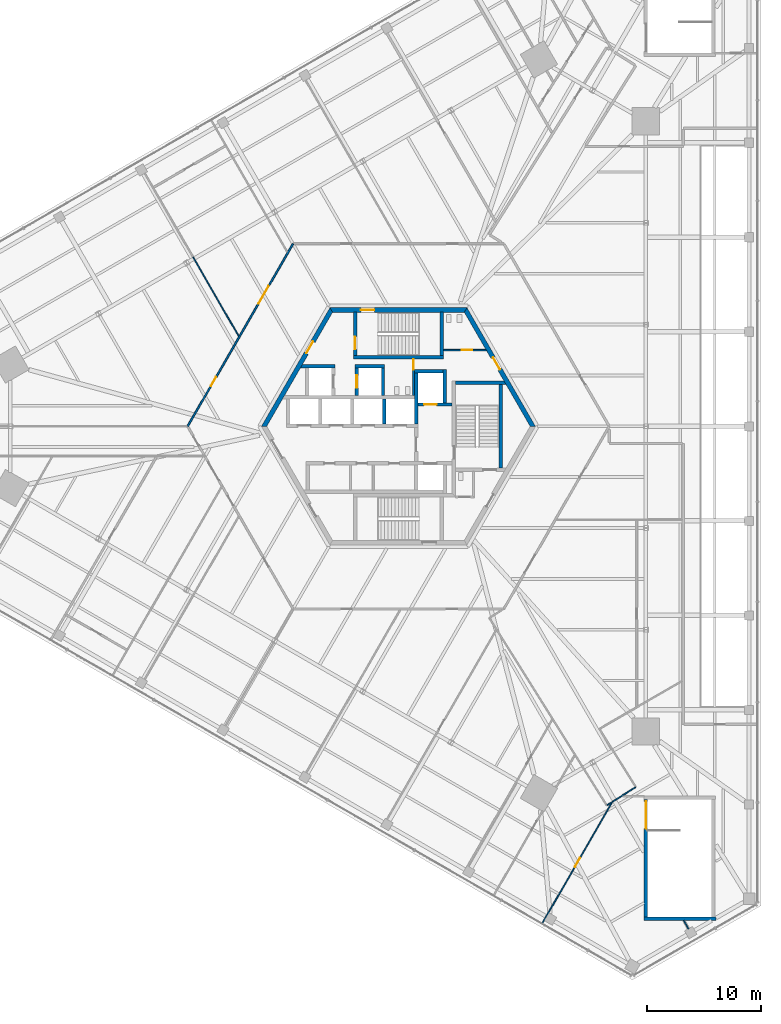
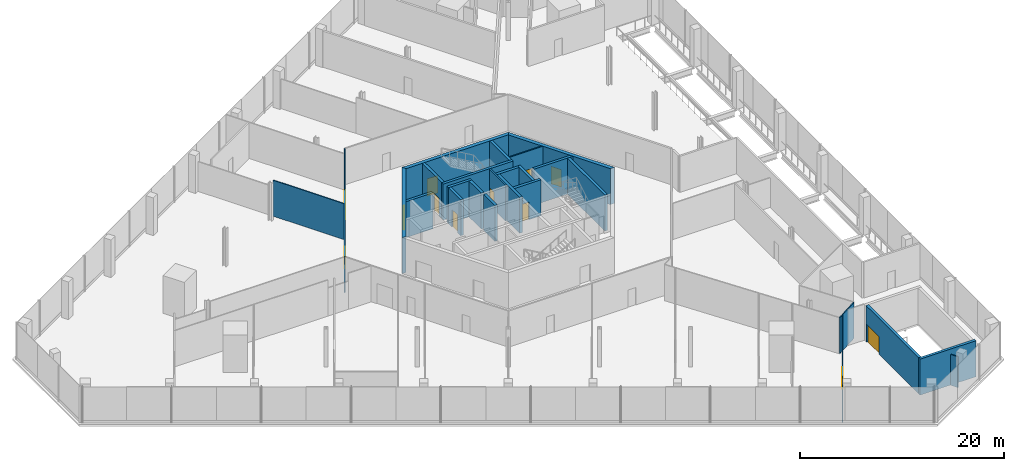
# One storey, part 20 of 25: 27 walls, 12 doors, 12 openings.
"""IFC4 building model written with IfcOpenShell, lengths in metres."""

from ifc_helpers import new_model, si_unit, direction, frame, frame_2d, origin, place, context, subcontext, project, spatial, polyline, rectangle, outline, extrude, source, transform, mapped, material, layer, layer_set, type_object, element, fill, save


model = new_model("IFC4")

# Units and contexts
model_context = context("Model", 3, precision=1e-05, world=origin(), true_north=direction((0.0, 1.0)))
body_context = subcontext(model_context, "Body", "Model", "MODEL_VIEW")
ifc_project = project(units=[si_unit("LENGTHUNIT", "METRE"), si_unit("AREAUNIT", "SQUARE_METRE"), si_unit("VOLUMEUNIT", "CUBIC_METRE"), si_unit("PLANEANGLEUNIT", "RADIAN"), si_unit("MASSUNIT", "GRAM", prefix="KILO")], contexts=[model_context])

# Site, building, storey
site_placement = place(None, origin())
site = spatial("IfcSite", under=ifc_project, at=site_placement, CompositionType="ELEMENT")
building_placement = place(site_placement, origin())
building = spatial("IfcBuilding", under=site, at=building_placement, Name="Triune Harvest Tower", CompositionType="ELEMENT")
storey_placement = place(building_placement, frame((0.0, 0.0, 11.5)))
storey = spatial("IfcBuildingStorey", under=building, at=storey_placement, Name="L02", CompositionType="ELEMENT", Elevation=11.5)

# Wall, openings, doors
ifc_material_1 = material(Name="Gypsum board on steel studs", Category="steel")
ifc_layer_1 = layer(ifc_material_1, 0.14990234375)
ifc_layer_set_1 = layer_set([ifc_layer_1], Name="Gypsum board on steel studs")
wall_type_1 = type_object("IfcWallType", Name="Fire Partition 150 mm", PredefinedType="PARTITIONING", material=ifc_layer_set_1)
wall_1_placement = place(storey_placement, frame((-18.46630859375, -0.00048828125, 0.0), z_axis=(0.0, 0.0, 1.0), x_axis=(0.499989475653, 0.866031479934, 0.0)))
wall_1 = element("IfcWall", 1, at=wall_1_placement, inside=storey, type_object=wall_type_1, Name="Partition L02 051", PredefinedType="PARTITIONING", context=body_context, shape_type="SweptSolid", body=[
    extrude(rectangle(XDim=18.46728515625, YDim=0.14990234375, at=frame_2d((9.233642578125, 0.0))), origin(), (0.0, 0.0, 1.0), 4.300048828125),
])
opening_1_placement = place(wall_1_placement, frame((12.390869140625, 0.0, 0.0)))
opening_1 = element("IfcOpeningElement", 2, at=opening_1_placement, cuts=wall_1, Name="Opening L02-013", PredefinedType="OPENING", context=body_context, shape_type="SweptSolid", body=[
    extrude(rectangle(XDim=1.800048828125, YDim=2.39990234375, at=frame_2d((0.89990234375, 1.199951171875))), frame((0.0, 0.0849609375, 0.0), z_axis=(0.0, -1.0, 0.0), x_axis=(1.0, 0.0, 0.0)), (0.0, 0.0, 1.0), 0.169921875),
])
opening_2_placement = place(wall_1_placement, frame((4.082763671875, 0.0, 0.0)))
opening_2 = element("IfcOpeningElement", 3, at=opening_2_placement, cuts=wall_1, Name="Opening L02-017", PredefinedType="OPENING", context=body_context, shape_type="SweptSolid", body=[
    extrude(rectangle(XDim=0.89990234375, YDim=2.10009765625, at=frame_2d((0.449951171875, 1.050048828125))), frame((0.0, 0.0849609375, 0.0), z_axis=(0.0, -1.0, 0.0), x_axis=(1.0, 0.0, 0.0)), (0.0, 0.0, 1.0), 0.169921875),
])
ifc_material_2 = material(Name="Timber and steel door set", Category="steel")
door_type_1 = type_object("IfcDoorType", Name="Double leaf door FD30 1800 x 2400", OperationType="DOUBLE_DOOR_SINGLE_SWING", PredefinedType="DOOR", material=ifc_material_2)
door_1_placement = place(opening_1_placement, origin())
door_1 = element("IfcDoor", 4, at=door_1_placement, inside=storey, type_object=door_type_1, Name="Door L02-013 Market Hall 02.13", OperationType="DOUBLE_DOOR_SINGLE_SWING", OverallHeight=2.39990234375, OverallWidth=1.800048828125, PredefinedType="DOOR", context=body_context, shape_type="SweptSolid", body=[
    extrude(rectangle(XDim=1.800048828125, YDim=2.39990234375, at=frame_2d((0.89990234375, 1.199951171875))), frame((0.0, 0.02490234375, 0.0), z_axis=(0.0, -1.0, 0.0), x_axis=(1.0, 0.0, 0.0)), (0.0, 0.0, 1.0), 0.050048828125),
])
fill(opening_1, door_1)
ifc_material_3 = material(Name="Timber and steel door set", Category="steel")
door_type_2 = type_object("IfcDoorType", Name="Single leaf door FD30 left hand 900 x 2100", OperationType="SINGLE_SWING_LEFT", PredefinedType="DOOR", material=ifc_material_3)
door_2_placement = place(opening_2_placement, origin())
door_2 = element("IfcDoor", 5, at=door_2_placement, inside=storey, type_object=door_type_2, Name="Door L02-017 Classroom 02.17", OperationType="SINGLE_SWING_LEFT", OverallHeight=2.10009765625, OverallWidth=0.89990234375, PredefinedType="DOOR", context=body_context, shape_type="SweptSolid", body=[
    extrude(rectangle(XDim=0.89990234375, YDim=2.10009765625, at=frame_2d((0.449951171875, 1.050048828125))), frame((0.0, 0.02490234375, 0.0), z_axis=(0.0, -1.0, 0.0), x_axis=(1.0, 0.0, 0.0)), (0.0, 0.0, 1.0), 0.050048828125),
])
fill(opening_2, door_2)

# Walls
ifc_material_4 = material(Name="Gypsum board on steel studs", Category="steel")
ifc_layer_2 = layer(ifc_material_4, 0.10009765625)
ifc_layer_set_2 = layer_set([ifc_layer_2], Name="Gypsum board on steel studs")
wall_type_2 = type_object("IfcWallType", Name="Partition 100 mm", PredefinedType="PARTITIONING", material=ifc_layer_set_2)
wall_2_placement = place(storey_placement, frame((18.272216796875, -33.18212890625, 0.0), z_axis=(0.0, 0.0, 1.0), x_axis=(0.847486689637, 0.530816645263, 0.0)))
element("IfcWall", 6, at=wall_2_placement, inside=storey, type_object=wall_type_2, Name="Partition L02 033", PredefinedType="PARTITIONING", context=body_context, shape_type="SweptSolid", body=[
    extrude(rectangle(XDim=0.40234375, YDim=0.10009765625, at=frame_2d((0.201171875, 0.0))), origin(), (0.0, 0.0, 1.0), 4.300048828125),
])
wall_3_placement = place(storey_placement, frame((18.751220703125, -32.882080078125, 0.0), z_axis=(0.0, 0.0, 1.0), x_axis=(0.847201589507, 0.531271556492, 0.0)))
element("IfcWall", 7, at=wall_3_placement, inside=storey, type_object=wall_type_2, Name="Partition L02 034", PredefinedType="PARTITIONING", context=body_context, shape_type="SweptSolid", body=[
    extrude(rectangle(XDim=2.378662109375, YDim=0.10009765625, at=frame_2d((1.189453125, 0.0))), origin(), (0.0, 0.0, 1.0), 4.300048828125),
])

# Wall, opening, door
wall_4_placement = place(storey_placement, frame((12.612060546875, -43.51513671875, 0.0), z_axis=(0.0, 0.0, 1.0), x_axis=(0.500009898248, 0.866019688953, 0.0)))
wall_4 = element("IfcWall", 8, at=wall_4_placement, inside=storey, type_object=wall_type_2, Name="Partition L02 039", PredefinedType="PARTITIONING", context=body_context, shape_type="SweptSolid", body=[
    extrude(rectangle(XDim=12.278076171875, YDim=0.10009765625, at=frame_2d((6.13916015625, 0.0))), origin(), (0.0, 0.0, 1.0), 4.300048828125),
])
opening_3_placement = place(wall_4_placement, frame((5.675048828125, 0.0, 0.0)))
opening_3 = element("IfcOpeningElement", 9, at=opening_3_placement, cuts=wall_4, Name="Opening L02-030", PredefinedType="OPENING", context=body_context, shape_type="SweptSolid", body=[
    extrude(rectangle(XDim=0.89990234375, YDim=2.10009765625, at=frame_2d((0.449951171875, 1.050048828125))), frame((0.0, 0.06005859375, 0.0), z_axis=(0.0, -1.0, 0.0), x_axis=(1.0, 0.0, 0.0)), (0.0, 0.0, 1.0), 0.1201171875),
])
ifc_material_5 = material(Name="Timber and steel door set", Category="steel")
door_type_3 = type_object("IfcDoorType", Name="Single leaf door right hand 900 x 2100", OperationType="SINGLE_SWING_RIGHT", PredefinedType="DOOR", material=ifc_material_5)
door_3_placement = place(opening_3_placement, origin())
door_3 = element("IfcDoor", 10, at=door_3_placement, inside=storey, type_object=door_type_3, Name="Door L02-030 Meeting Room 02.30", OperationType="SINGLE_SWING_RIGHT", OverallHeight=2.10009765625, OverallWidth=0.89990234375, PredefinedType="DOOR", context=body_context, shape_type="SweptSolid", body=[
    extrude(rectangle(XDim=0.89990234375, YDim=2.10009765625, at=frame_2d((0.449951171875, 1.050048828125))), frame((0.0, 0.02490234375, 0.0), z_axis=(0.0, -1.0, 0.0), x_axis=(1.0, 0.0, 0.0)), (0.0, 0.0, 1.0), 0.050048828125),
])
fill(opening_3, door_3)

ifc_material_6 = material(Name="Concrete 70 MPa", Category="concrete")
ifc_layer_3 = layer(ifc_material_6, 0.39990234375)
ifc_layer_set_3 = layer_set([ifc_layer_3], Name="Concrete 70 MPa")
wall_type_3 = type_object("IfcWallType", Name="Core wall 400", PredefinedType="SHEAR", material=ifc_layer_set_3)
shared_shape_1 = source(origin(), body_context, "Body", "SweptSolid", [
    extrude(outline(polyline([(-0.115478515625, -0.199951171875), (11.884521484375, -0.199951171875), (11.653564453125, 0.199951171875), (0.115478515625, 0.199951171875), (-0.115478515625, -0.199951171875)])), origin(), (0.0, 0.0, 1.0), 4.300048828125),
])
wall_5_placement = place(storey_placement, frame((11.76904296875, 0.0, 0.0), z_axis=(0.0, 0.0, 1.0), x_axis=(-0.499996592174, 0.866027371285, 0.0)))
wall_5 = element("IfcWall", 11, at=wall_5_placement, inside=storey, type_object=wall_type_3, Name="Hexagon 0 wall", PredefinedType="SHEAR", context=body_context, shape_type="MappedRepresentation", body=[
    mapped(shared_shape_1, transform((0.0, 0.0, 0.0), scale=1.0)),
])
opening_4_placement = place(wall_5_placement, frame((5.75048828125, 0.0, 0.0)))
opening_4 = element("IfcOpeningElement", 12, at=opening_4_placement, cuts=wall_5, Name="Opening CD-WCP", PredefinedType="OPENING", context=body_context, shape_type="SweptSolid", body=[
    extrude(rectangle(XDim=1.199951171875, YDim=2.10009765625, at=frame_2d((0.60009765625, 1.050048828125))), frame((0.0, 0.2099609375, 0.0), z_axis=(0.0, -1.0, 0.0), x_axis=(1.0, 0.0, 0.0)), (0.0, 0.0, 1.0), 0.419921875),
])
ifc_material_7 = material(Name="Steel S235", Category="steel")
door_type_4 = type_object("IfcDoorType", Name="Lobby door 1200 FD120", OperationType="SINGLE_SWING_LEFT", PredefinedType="DOOR", material=ifc_material_7)
door_4_placement = place(opening_4_placement, frame((1.199951171875, 0.0, 0.0), z_axis=(0.0, 0.0, 1.0), x_axis=(-1.0, 0.0, 0.0)))
door_4 = element("IfcDoor", 13, at=door_4_placement, inside=storey, type_object=door_type_4, Name="Door CD-WCP", OperationType="SINGLE_SWING_RIGHT", OverallHeight=2.10009765625, OverallWidth=1.199951171875, PredefinedType="DOOR", context=body_context, shape_type="SweptSolid", body=[
    extrude(rectangle(XDim=1.199951171875, YDim=2.10009765625, at=frame_2d((0.60009765625, 1.050048828125))), frame((0.0, 0.02490234375, 0.0), z_axis=(0.0, -1.0, 0.0), x_axis=(1.0, 0.0, 0.0)), (0.0, 0.0, 1.0), 0.050048828125),
])
fill(opening_4, door_4)

wall_6_placement = place(storey_placement, frame((5.884521484375, 10.1923828125, 0.0), z_axis=(0.0, 0.0, 1.0), x_axis=(-1.0, 0.0, 0.0)))
wall_6 = element("IfcWall", 14, at=wall_6_placement, inside=storey, type_object=wall_type_3, Name="Hexagon 1 wall", PredefinedType="SHEAR", context=body_context, shape_type="MappedRepresentation", body=[
    mapped(shared_shape_1, transform((0.0, 0.0, 0.0), scale=1.0)),
])
opening_5_placement = place(wall_6_placement, frame((7.984619140625, 0.0, 0.0)))
opening_5 = element("IfcOpeningElement", 15, at=opening_5_placement, cuts=wall_6, Name="Opening CD-S1P", PredefinedType="OPENING", context=body_context, shape_type="SweptSolid", body=[
    extrude(rectangle(XDim=1.199951171875, YDim=2.10009765625, at=frame_2d((0.60009765625, 1.050048828125))), frame((0.0, 0.2099609375, 0.0), z_axis=(0.0, -1.0, 0.0), x_axis=(1.0, 0.0, 0.0)), (0.0, 0.0, 1.0), 0.419921875),
])
ifc_material_8 = material(Name="Steel S235", Category="steel")
door_type_5 = type_object("IfcDoorType", Name="Stair door 1200 FD120", OperationType="SINGLE_SWING_LEFT", PredefinedType="DOOR", material=ifc_material_8)
door_5_placement = place(opening_5_placement, frame((1.199951171875, 0.0, 0.0), z_axis=(0.0, 0.0, 1.0), x_axis=(-1.0, 0.0, 0.0)))
door_5 = element("IfcDoor", 16, at=door_5_placement, inside=storey, type_object=door_type_5, Name="Door CD-S1P", OperationType="SINGLE_SWING_RIGHT", OverallHeight=2.10009765625, OverallWidth=1.199951171875, PredefinedType="DOOR", context=body_context, shape_type="SweptSolid", body=[
    extrude(rectangle(XDim=1.199951171875, YDim=2.10009765625, at=frame_2d((0.60009765625, 1.050048828125))), frame((0.0, 0.02490234375, 0.0), z_axis=(0.0, -1.0, 0.0), x_axis=(1.0, 0.0, 0.0)), (0.0, 0.0, 1.0), 0.050048828125),
])
fill(opening_5, door_5)

wall_7_placement = place(storey_placement, frame((-5.884521484375, 10.1923828125, 0.0), z_axis=(0.0, 0.0, 1.0), x_axis=(-0.499996592174, -0.866027371285, 0.0)))
wall_7 = element("IfcWall", 17, at=wall_7_placement, inside=storey, type_object=wall_type_3, Name="Hexagon 2 wall", PredefinedType="SHEAR", context=body_context, shape_type="MappedRepresentation", body=[
    mapped(shared_shape_1, transform((0.0, 0.0, 0.0), scale=1.0)),
])
opening_6_placement = place(wall_7_placement, frame((3.1845703125, 0.0, 0.0)))
opening_6 = element("IfcOpeningElement", 18, at=opening_6_placement, cuts=wall_7, Name="Opening CD-SVP", PredefinedType="OPENING", context=body_context, shape_type="SweptSolid", body=[
    extrude(rectangle(XDim=1.199951171875, YDim=2.10009765625, at=frame_2d((0.60009765625, 1.050048828125))), frame((0.0, 0.2099609375, 0.0), z_axis=(0.0, -1.0, 0.0), x_axis=(1.0, 0.0, 0.0)), (0.0, 0.0, 1.0), 0.419921875),
])
ifc_material_9 = material(Name="Steel S235", Category="steel")
door_type_6 = type_object("IfcDoorType", Name="Service door 1200 FD120", OperationType="SINGLE_SWING_LEFT", PredefinedType="DOOR", material=ifc_material_9)
door_6_placement = place(opening_6_placement, frame((1.199951171875, 0.0, 0.0), z_axis=(0.0, 0.0, 1.0), x_axis=(-1.0, 0.0, 0.0)))
door_6 = element("IfcDoor", 19, at=door_6_placement, inside=storey, type_object=door_type_6, Name="Door CD-SVP", OperationType="SINGLE_SWING_RIGHT", OverallHeight=2.10009765625, OverallWidth=1.199951171875, PredefinedType="DOOR", context=body_context, shape_type="SweptSolid", body=[
    extrude(rectangle(XDim=1.199951171875, YDim=2.10009765625, at=frame_2d((0.60009765625, 1.050048828125))), frame((0.0, 0.02490234375, 0.0), z_axis=(0.0, -1.0, 0.0), x_axis=(1.0, 0.0, 0.0)), (0.0, 0.0, 1.0), 0.050048828125),
])
fill(opening_6, door_6)

# Walls
ifc_material_10 = material(Name="Concrete 70 MPa", Category="concrete")
ifc_layer_4 = layer(ifc_material_10, 0.300048828125)
ifc_layer_set_4 = layer_set([ifc_layer_4], Name="Concrete 70 MPa")
wall_type_4 = type_object("IfcWallType", Name="Core wall 300", PredefinedType="SHEAR", material=ifc_layer_set_4)
shared_shape_2 = source(origin(), body_context, "Body", "SweptSolid", [
    extrude(rectangle(XDim=2.5, YDim=0.300048828125, at=frame_2d((1.25, 0.0))), origin(), (0.0, 0.0, 1.0), 4.300048828125),
])
wall_8_placement = place(storey_placement, frame((1.39990234375, 4.81005859375, 0.0), z_axis=(0.0, 0.0, 1.0), x_axis=(1.0, 0.0, 0.0)))
element("IfcWall", 20, at=wall_8_placement, inside=storey, type_object=wall_type_4, Name="Ff1 back wall", PredefinedType="SHEAR", context=body_context, shape_type="MappedRepresentation", body=[
    mapped(shared_shape_2, transform((0.0, 0.0, 0.0), scale=1.0)),
])
shared_shape_3 = source(origin(), body_context, "Body", "SweptSolid", [
    extrude(rectangle(XDim=4.449951171875, YDim=0.300048828125, at=frame_2d((2.22509765625, 0.0))), origin(), (0.0, 0.0, 1.0), 4.300048828125),
])
wall_9_placement = place(storey_placement, frame((1.550048828125, 0.2099609375, 0.0), z_axis=(0.0, 0.0, 1.0), x_axis=(0.0, 1.0, 0.0)))
element("IfcWall", 21, at=wall_9_placement, inside=storey, type_object=wall_type_4, Name="Ff1 west wall", PredefinedType="SHEAR", context=body_context, shape_type="MappedRepresentation", body=[
    mapped(shared_shape_3, transform((0.0, 0.0, 0.0), scale=1.0)),
])

# Wall, opening, door
shared_shape_4 = source(origin(), body_context, "Body", "SweptSolid", [
    extrude(rectangle(XDim=3.0, YDim=0.300048828125, at=frame_2d((1.5, 0.0))), origin(), (0.0, 0.0, 1.0), 4.300048828125),
])
wall_10_placement = place(storey_placement, frame((1.699951171875, 1.909912109375, 0.0), z_axis=(0.0, 0.0, 1.0), x_axis=(1.0, 0.0, 0.0)))
wall_10 = element("IfcWall", 22, at=wall_10_placement, inside=storey, type_object=wall_type_4, Name="Ff1 front wall", PredefinedType="SHEAR", context=body_context, shape_type="MappedRepresentation", body=[
    mapped(shared_shape_4, transform((0.0, 0.0, 0.0), scale=1.0)),
])
opening_7_placement = place(wall_10_placement, frame((0.550048828125, 0.0, 0.0)))
opening_7 = element("IfcOpeningElement", 23, at=opening_7_placement, cuts=wall_10, Name="Opening LD-FF1-02", PredefinedType="OPENING", context=body_context, shape_type="SweptSolid", body=[
    extrude(rectangle(XDim=1.10009765625, YDim=2.10009765625, at=frame_2d((0.550048828125, 1.050048828125))), frame((0.0, 0.16015625, 0.0), z_axis=(0.0, -1.0, 0.0), x_axis=(1.0, 0.0, 0.0)), (0.0, 0.0, 1.0), 0.320068359375),
])
ifc_material_11 = material(Name="Stainless steel AISI 304", Category="steel")
door_type_7 = type_object("IfcDoorType", Name="Landing door 1100 x 2100", OperationType="DOUBLE_DOOR_SLIDING", PredefinedType="DOOR", material=ifc_material_11)
door_7_placement = place(opening_7_placement, origin())
door_7 = element("IfcDoor", 24, at=door_7_placement, inside=storey, type_object=door_type_7, Name="Door LD-FF1-02", OperationType="DOUBLE_DOOR_SLIDING", OverallHeight=2.10009765625, OverallWidth=1.10009765625, PredefinedType="DOOR", context=body_context, shape_type="SweptSolid", body=[
    extrude(rectangle(XDim=1.10009765625, YDim=2.10009765625, at=frame_2d((0.550048828125, 1.050048828125))), frame((0.0, 0.02490234375, 0.0), z_axis=(0.0, -1.0, 0.0), x_axis=(1.0, 0.0, 0.0)), (0.0, 0.0, 1.0), 0.050048828125),
])
fill(opening_7, door_7)

# Walls
shared_shape_5 = source(origin(), body_context, "Body", "SweptSolid", [
    extrude(rectangle(XDim=2.89990234375, YDim=0.300048828125, at=frame_2d((1.449951171875, 0.0))), origin(), (0.0, 0.0, 1.0), 4.300048828125),
])
wall_11_placement = place(storey_placement, frame((4.050048828125, 2.06005859375, 0.0), z_axis=(0.0, 0.0, 1.0), x_axis=(0.0, 1.0, 0.0)))
element("IfcWall", 25, at=wall_11_placement, inside=storey, type_object=wall_type_4, Name="Ff1 east wall", PredefinedType="SHEAR", context=body_context, shape_type="MappedRepresentation", body=[
    mapped(shared_shape_5, transform((0.0, 0.0, 0.0), scale=1.0)),
])
shared_shape_6 = source(origin(), body_context, "Body", "SweptSolid", [
    extrude(rectangle(XDim=2.199951171875, YDim=0.300048828125, at=frame_2d((1.10009765625, 0.0))), origin(), (0.0, 0.0, 1.0), 4.300048828125),
])
wall_12_placement = place(storey_placement, frame((-1.25, 0.2099609375, 0.0), z_axis=(0.0, 0.0, 1.0), x_axis=(0.0, 1.0, 0.0)))
element("IfcWall", 26, at=wall_12_placement, inside=storey, type_object=wall_type_4, Name="North cross 3 wall", PredefinedType="SHEAR", context=body_context, shape_type="MappedRepresentation", body=[
    mapped(shared_shape_6, transform((0.0, 0.0, 0.0), scale=1.0)),
])
shared_shape_7 = source(origin(), body_context, "Body", "SweptSolid", [
    extrude(outline(polyline([(0.0, -0.14990234375), (0.0, 0.14990234375), (4.260009765625, 0.14990234375), (4.43310546875, -0.14990234375), (0.0, -0.14990234375)])), origin(), (0.0, 0.0, 1.0), 4.300048828125),
])
wall_13_placement = place(storey_placement, frame((5.0, 3.800048828125, 0.0), z_axis=(0.0, 0.0, 1.0), x_axis=(1.0, 0.0, 0.0)))
element("IfcWall", 27, at=wall_13_placement, inside=storey, type_object=wall_type_4, Name="Stair e north wall", PredefinedType="SHEAR", context=body_context, shape_type="MappedRepresentation", body=[
    mapped(shared_shape_7, transform((0.0, 0.0, 0.0), scale=1.0)),
])
shared_shape_8 = source(origin(), body_context, "Body", "SweptSolid", [
    extrude(rectangle(XDim=7.2998046875, YDim=0.300048828125, at=frame_2d((3.64990234375, 0.0))), origin(), (0.0, 0.0, 1.0), 4.300048828125),
])
wall_14_placement = place(storey_placement, frame((8.949951171875, -3.64990234375, 0.0), z_axis=(0.0, 0.0, 1.0), x_axis=(0.0, 1.0, 0.0)))
element("IfcWall", 28, at=wall_14_placement, inside=storey, type_object=wall_type_4, Name="Stair e east wall", PredefinedType="SHEAR", context=body_context, shape_type="MappedRepresentation", body=[
    mapped(shared_shape_8, transform((0.0, 0.0, 0.0), scale=1.0)),
])
shared_shape_9 = source(origin(), body_context, "Body", "SweptSolid", [
    extrude(rectangle(XDim=7.89990234375, YDim=0.300048828125, at=frame_2d((3.949951171875, 0.0))), origin(), (0.0, 0.0, 1.0), 4.300048828125),
])
wall_15_placement = place(storey_placement, frame((-3.949951171875, 6.0400390625, 0.0), z_axis=(0.0, 0.0, 1.0), x_axis=(1.0, 0.0, 0.0)))
element("IfcWall", 29, at=wall_15_placement, inside=storey, type_object=wall_type_4, Name="Stair n south wall", PredefinedType="SHEAR", context=body_context, shape_type="MappedRepresentation", body=[
    mapped(shared_shape_9, transform((0.0, 0.0, 0.0), scale=1.0)),
])

# Wall, opening, door
shared_shape_10 = source(origin(), body_context, "Body", "SweptSolid", [
    extrude(outline(polyline([(0.0, -0.14990234375), (0.0, 0.14990234375), (3.80419921875, 0.14990234375), (3.80419921875, -0.14990234375), (0.0, -0.14990234375)])), origin(), (0.0, 0.0, 1.0), 4.300048828125),
])
wall_16_placement = place(storey_placement, frame((-3.800048828125, 6.18994140625, 0.0), z_axis=(0.0, 0.0, 1.0), x_axis=(0.0, 1.0, 0.0)))
wall_16 = element("IfcWall", 30, at=wall_16_placement, inside=storey, type_object=wall_type_4, Name="Stair n west wall", PredefinedType="SHEAR", context=body_context, shape_type="MappedRepresentation", body=[
    mapped(shared_shape_10, transform((0.0, 0.0, 0.0), scale=1.0)),
])
opening_8_placement = place(wall_16_placement, frame((0.56005859375, 0.0, 0.0)))
opening_8 = element("IfcOpeningElement", 31, at=opening_8_placement, cuts=wall_16, Name="Opening CD-S1L", PredefinedType="OPENING", context=body_context, shape_type="SweptSolid", body=[
    extrude(rectangle(XDim=1.10009765625, YDim=2.10009765625, at=frame_2d((0.550048828125, 1.050048828125))), frame((0.0, 0.16015625, 0.0), z_axis=(0.0, -1.0, 0.0), x_axis=(1.0, 0.0, 0.0)), (0.0, 0.0, 1.0), 0.320068359375),
])
ifc_material_12 = material(Name="Steel S235", Category="steel")
door_type_8 = type_object("IfcDoorType", Name="Stair door 1100 FD120", OperationType="SINGLE_SWING_LEFT", PredefinedType="DOOR", material=ifc_material_12)
door_8_placement = place(opening_8_placement, frame((1.10009765625, 0.0, 0.0), z_axis=(0.0, 0.0, 1.0), x_axis=(-1.0, 0.0, 0.0)))
door_8 = element("IfcDoor", 32, at=door_8_placement, inside=storey, type_object=door_type_8, Name="Door CD-S1L", OperationType="SINGLE_SWING_RIGHT", OverallHeight=2.10009765625, OverallWidth=1.10009765625, PredefinedType="DOOR", context=body_context, shape_type="SweptSolid", body=[
    extrude(rectangle(XDim=1.10009765625, YDim=2.10009765625, at=frame_2d((0.550048828125, 1.050048828125))), frame((0.0, 0.02490234375, 0.0), z_axis=(0.0, -1.0, 0.0), x_axis=(1.0, 0.0, 0.0)), (0.0, 0.0, 1.0), 0.050048828125),
])
fill(opening_8, door_8)

# Walls
wall_17_placement = place(storey_placement, frame((3.800048828125, 6.18994140625, 0.0), z_axis=(0.0, 0.0, 1.0), x_axis=(0.0, 1.0, 0.0)))
element("IfcWall", 33, at=wall_17_placement, inside=storey, type_object=wall_type_4, Name="Stair n east wall", PredefinedType="SHEAR", context=body_context, shape_type="MappedRepresentation", body=[
    mapped(shared_shape_10, transform((0.0, 0.0, 0.0), scale=1.0)),
])
shared_shape_11 = source(origin(), body_context, "Body", "SweptSolid", [
    extrude(outline(polyline([(2.60009765625, -0.14990234375), (-0.440185546875, -0.14990234375), (-0.26708984375, 0.14990234375), (2.60009765625, 0.14990234375), (2.60009765625, -0.14990234375)])), origin(), (0.0, 0.0, 1.0), 4.300048828125),
])
wall_18_placement = place(storey_placement, frame((-8.14990234375, 5.260009765625, 0.0), z_axis=(0.0, 0.0, 1.0), x_axis=(1.0, 0.0, 0.0)))
element("IfcWall", 34, at=wall_18_placement, inside=storey, type_object=wall_type_4, Name="Sv1 north wall", PredefinedType="SHEAR", context=body_context, shape_type="MappedRepresentation", body=[
    mapped(shared_shape_11, transform((0.0, 0.0, 0.0), scale=1.0)),
])

# Wall, opening, door
shared_shape_12 = source(origin(), body_context, "Body", "SweptSolid", [
    extrude(rectangle(XDim=2.400146484375, YDim=0.300048828125, at=frame_2d((1.2001953125, 0.0))), origin(), (0.0, 0.0, 1.0), 4.300048828125),
])
wall_19_placement = place(storey_placement, frame((-3.64990234375, 2.7099609375, 0.0), z_axis=(0.0, 0.0, 1.0), x_axis=(0.0, 1.0, 0.0)))
wall_19 = element("IfcWall", 35, at=wall_19_placement, inside=storey, type_object=wall_type_4, Name="Sv2 west wall", PredefinedType="SHEAR", context=body_context, shape_type="MappedRepresentation", body=[
    mapped(shared_shape_12, transform((0.0, 0.0, 0.0), scale=1.0)),
])
opening_9_placement = place(wall_19_placement, frame((0.64990234375, 0.0, 0.0)))
opening_9 = element("IfcOpeningElement", 36, at=opening_9_placement, cuts=wall_19, Name="Opening LD-SV2-02", PredefinedType="OPENING", context=body_context, shape_type="SweptSolid", body=[
    extrude(rectangle(XDim=1.10009765625, YDim=2.10009765625, at=frame_2d((0.550048828125, 1.050048828125))), frame((0.0, 0.16015625, 0.0), z_axis=(0.0, -1.0, 0.0), x_axis=(1.0, 0.0, 0.0)), (0.0, 0.0, 1.0), 0.320068359375),
])
door_9_placement = place(opening_9_placement, origin())
door_9 = element("IfcDoor", 37, at=door_9_placement, inside=storey, type_object=door_type_7, Name="Door LD-SV2-02", OperationType="DOUBLE_DOOR_SLIDING", OverallHeight=2.10009765625, OverallWidth=1.10009765625, PredefinedType="DOOR", context=body_context, shape_type="SweptSolid", body=[
    extrude(rectangle(XDim=1.10009765625, YDim=2.10009765625, at=frame_2d((0.550048828125, 1.050048828125))), frame((0.0, 0.02490234375, 0.0), z_axis=(0.0, -1.0, 0.0), x_axis=(1.0, 0.0, 0.0)), (0.0, 0.0, 1.0), 0.050048828125),
])
fill(opening_9, door_9)

# Walls
wall_20_placement = place(storey_placement, frame((-1.35009765625, 2.7099609375, 0.0), z_axis=(0.0, 0.0, 1.0), x_axis=(0.0, 1.0, 0.0)))
element("IfcWall", 38, at=wall_20_placement, inside=storey, type_object=wall_type_4, Name="Sv2 east wall", PredefinedType="SHEAR", context=body_context, shape_type="MappedRepresentation", body=[
    mapped(shared_shape_12, transform((0.0, 0.0, 0.0), scale=1.0)),
])
shared_shape_13 = source(origin(), body_context, "Body", "SweptSolid", [
    extrude(rectangle(XDim=2.60009765625, YDim=0.300048828125, at=frame_2d((1.300048828125, 0.0))), origin(), (0.0, 0.0, 1.0), 4.300048828125),
])
wall_21_placement = place(storey_placement, frame((-3.800048828125, 5.260009765625, 0.0), z_axis=(0.0, 0.0, 1.0), x_axis=(1.0, 0.0, 0.0)))
element("IfcWall", 39, at=wall_21_placement, inside=storey, type_object=wall_type_4, Name="Sv2 north wall", PredefinedType="SHEAR", context=body_context, shape_type="MappedRepresentation", body=[
    mapped(shared_shape_13, transform((0.0, 0.0, 0.0), scale=1.0)),
])

# Wall, opening, door
ifc_material_13 = material(Name="Concrete masonry unit", Category="masonry")
ifc_layer_5 = layer(ifc_material_13, 0.14990234375)
ifc_layer_set_5 = layer_set([ifc_layer_5], Name="Concrete masonry unit")
wall_type_5 = type_object("IfcWallType", Name="Block partition 150 unrated", PredefinedType="PARTITIONING", material=ifc_layer_set_5)
shared_shape_14 = source(origin(), body_context, "Body", "SweptSolid", [
    extrude(rectangle(XDim=3.179931640625, YDim=0.14990234375, at=frame_2d((1.58984375, 0.0))), origin(), (0.0, 0.0, 1.0), 4.300048828125),
])
wall_22_placement = place(storey_placement, frame((1.324951171875, 2.7099609375, 0.0), z_axis=(0.0, 0.0, 1.0), x_axis=(0.0, 1.0, 0.0)))
wall_22 = element("IfcWall", 40, at=wall_22_placement, inside=storey, type_object=wall_type_5, Name="Wc men east wall", PredefinedType="PARTITIONING", context=body_context, shape_type="MappedRepresentation", body=[
    mapped(shared_shape_14, transform((0.0, 0.0, 0.0), scale=1.0)),
])
opening_10_placement = place(wall_22_placement, frame((2.264892578125, 0.0, 0.0)))
opening_10 = element("IfcOpeningElement", 41, at=opening_10_placement, cuts=wall_22, Name="Opening CD-WM", PredefinedType="OPENING", context=body_context, shape_type="SweptSolid", body=[
    extrude(rectangle(XDim=0.89990234375, YDim=2.10009765625, at=frame_2d((0.449951171875, 1.050048828125))), frame((0.0, 0.0849609375, 0.0), z_axis=(0.0, -1.0, 0.0), x_axis=(1.0, 0.0, 0.0)), (0.0, 0.0, 1.0), 0.169921875),
])
ifc_material_14 = material(Name="Timber C24", Category="wood")
door_type_9 = type_object("IfcDoorType", Name="WC door 900", OperationType="SINGLE_SWING_LEFT", PredefinedType="DOOR", material=ifc_material_14)
door_10_placement = place(opening_10_placement, origin())
door_10 = element("IfcDoor", 42, at=door_10_placement, inside=storey, type_object=door_type_9, Name="Door CD-WM", OperationType="SINGLE_SWING_LEFT", OverallHeight=2.10009765625, OverallWidth=0.89990234375, PredefinedType="DOOR", context=body_context, shape_type="SweptSolid", body=[
    extrude(rectangle(XDim=0.89990234375, YDim=2.10009765625, at=frame_2d((0.449951171875, 1.050048828125))), frame((0.0, 0.02490234375, 0.0), z_axis=(0.0, -1.0, 0.0), x_axis=(1.0, 0.0, 0.0)), (0.0, 0.0, 1.0), 0.050048828125),
])
fill(opening_10, door_10)

shared_shape_15 = source(origin(), body_context, "Body", "SweptSolid", [
    extrude(outline(polyline([(0.0, -0.074951171875), (0.0, 0.074951171875), (3.693359375, 0.074951171875), (3.77978515625, -0.074951171875), (0.0, -0.074951171875)])), origin(), (0.0, 0.0, 1.0), 4.300048828125),
])
wall_23_placement = place(storey_placement, frame((3.949951171875, 6.675048828125, 0.0), z_axis=(0.0, 0.0, 1.0), x_axis=(1.0, 0.0, 0.0)))
wall_23 = element("IfcWall", 43, at=wall_23_placement, inside=storey, type_object=wall_type_5, Name="Wc women south wall", PredefinedType="PARTITIONING", context=body_context, shape_type="MappedRepresentation", body=[
    mapped(shared_shape_15, transform((0.0, 0.0, 0.0), scale=1.0)),
])
opening_11_placement = place(wall_23_placement, frame((1.60009765625, 0.0, 0.0)))
opening_11 = element("IfcOpeningElement", 44, at=opening_11_placement, cuts=wall_23, Name="Opening CD-WW", PredefinedType="OPENING", context=body_context, shape_type="SweptSolid", body=[
    extrude(rectangle(XDim=0.89990234375, YDim=2.10009765625, at=frame_2d((0.449951171875, 1.050048828125))), frame((0.0, 0.0849609375, 0.0), z_axis=(0.0, -1.0, 0.0), x_axis=(1.0, 0.0, 0.0)), (0.0, 0.0, 1.0), 0.169921875),
])
door_11_placement = place(opening_11_placement, origin())
door_11 = element("IfcDoor", 45, at=door_11_placement, inside=storey, type_object=door_type_9, Name="Door CD-WW", OperationType="SINGLE_SWING_LEFT", OverallHeight=2.10009765625, OverallWidth=0.89990234375, PredefinedType="DOOR", context=body_context, shape_type="SweptSolid", body=[
    extrude(rectangle(XDim=0.89990234375, YDim=2.10009765625, at=frame_2d((0.449951171875, 1.050048828125))), frame((0.0, 0.02490234375, 0.0), z_axis=(0.0, -1.0, 0.0), x_axis=(1.0, 0.0, 0.0)), (0.0, 0.0, 1.0), 0.050048828125),
])
fill(opening_11, door_11)

shared_shape_16 = source(origin(), body_context, "Body", "SweptSolid", [
    extrude(rectangle(XDim=10.300048828125, YDim=0.300048828125, at=frame_2d((5.14990234375, 0.0))), origin(), (0.0, 0.0, 1.0), 4.300048828125),
])
wall_24_placement = place(storey_placement, frame((21.669921875, -43.0, 0.0), z_axis=(0.0, 0.0, 1.0), x_axis=(0.0, 1.0, 0.0)))
wall_24 = element("IfcWall", 46, at=wall_24_placement, inside=storey, type_object=wall_type_4, Name="Podium stair ps 2 west wall", PredefinedType="SHEAR", context=body_context, shape_type="MappedRepresentation", body=[
    mapped(shared_shape_16, transform((0.0, 0.0, 0.0), scale=1.0)),
])
opening_12_placement = place(wall_24_placement, frame((7.75, 0.0, 0.0)))
opening_12 = element("IfcOpeningElement", 47, at=opening_12_placement, cuts=wall_24, Name="Opening PS-2-02A", PredefinedType="OPENING", context=body_context, shape_type="SweptSolid", body=[
    extrude(rectangle(XDim=2.39990234375, YDim=2.10009765625, at=frame_2d((1.199951171875, 1.050048828125))), frame((0.0, 0.16015625, 0.0), z_axis=(0.0, -1.0, 0.0), x_axis=(1.0, 0.0, 0.0)), (0.0, 0.0, 1.0), 0.320068359375),
])
ifc_material_15 = material(Name="Steel S235", Category="steel")
door_type_10 = type_object("IfcDoorType", Name="Stair door 2400 FD120", OperationType="DOUBLE_DOOR_DOUBLE_SWING", PredefinedType="DOOR", material=ifc_material_15)
door_12_placement = place(opening_12_placement, origin())
door_12 = element("IfcDoor", 48, at=door_12_placement, inside=storey, type_object=door_type_10, Name="Door PS-2-02A", OperationType="DOUBLE_DOOR_DOUBLE_SWING", OverallHeight=2.10009765625, OverallWidth=2.39990234375, PredefinedType="DOOR", context=body_context, shape_type="SweptSolid", body=[
    extrude(rectangle(XDim=2.39990234375, YDim=2.10009765625, at=frame_2d((1.199951171875, 1.050048828125))), frame((0.0, 0.02490234375, 0.0), z_axis=(0.0, -1.0, 0.0), x_axis=(1.0, 0.0, 0.0)), (0.0, 0.0, 1.0), 0.050048828125),
])
fill(opening_12, door_12)

# Walls
shared_shape_17 = source(origin(), body_context, "Body", "SweptSolid", [
    extrude(rectangle(XDim=6.31005859375, YDim=0.300048828125, at=frame_2d((3.155029296875, 0.0))), origin(), (0.0, 0.0, 1.0), 4.300048828125),
])
wall_25_placement = place(storey_placement, frame((21.52001953125, -43.14990234375, 0.0), z_axis=(0.0, 0.0, 1.0), x_axis=(1.0, 0.0, 0.0)))
element("IfcWall", 49, at=wall_25_placement, inside=storey, type_object=wall_type_4, Name="Podium stair ps 2 south wall", PredefinedType="SHEAR", context=body_context, shape_type="MappedRepresentation", body=[
    mapped(shared_shape_17, transform((0.0, 0.0, 0.0), scale=1.0)),
])
shared_shape_18 = source(origin(), body_context, "Body", "SweptSolid", [
    extrude(rectangle(XDim=0.822265625, YDim=0.10009765625, at=frame_2d((0.4111328125, 0.0))), origin(), (0.0, 0.0, 1.0), 3.687744140625),
])
wall_26_placement = place(storey_placement, frame((24.999267578125, -43.300048828125, 0.0), z_axis=(0.0, 0.0, 1.0), x_axis=(0.499970888758, -0.866042210515, 0.0)))
element("IfcWall", 50, at=wall_26_placement, inside=storey, type_object=wall_type_2, Name="Partition L02 004", PredefinedType="PARTITIONING", context=body_context, shape_type="MappedRepresentation", body=[
    mapped(shared_shape_18, transform((0.0, 0.0, 0.0), scale=1.0)),
])
shared_shape_19 = source(origin(), body_context, "Body", "SweptSolid", [
    extrude(rectangle(XDim=7.99267578125, YDim=0.10009765625, at=frame_2d((3.996337890625, 0.0))), origin(), (0.0, 0.0, 1.0), 4.300048828125),
])
wall_27_placement = place(storey_placement, frame((-17.991455078125, 14.822021484375, 0.0), z_axis=(0.0, 0.0, 1.0), x_axis=(0.499999202028, -0.866025864493, 0.0)))
element("IfcWall", 51, at=wall_27_placement, inside=storey, type_object=wall_type_2, Name="Partition L02 002a", PredefinedType="PARTITIONING", context=body_context, shape_type="MappedRepresentation", body=[
    mapped(shared_shape_19, transform((0.0, 0.0, 0.0), scale=1.0)),
])

save(model, "model.ifc")
